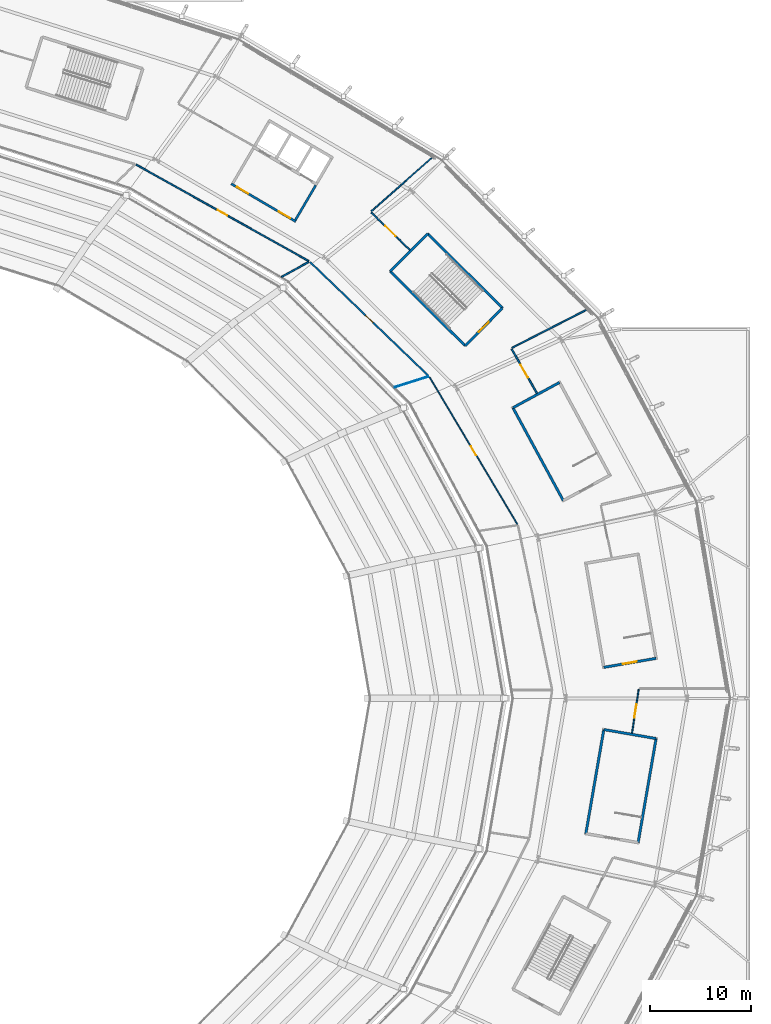
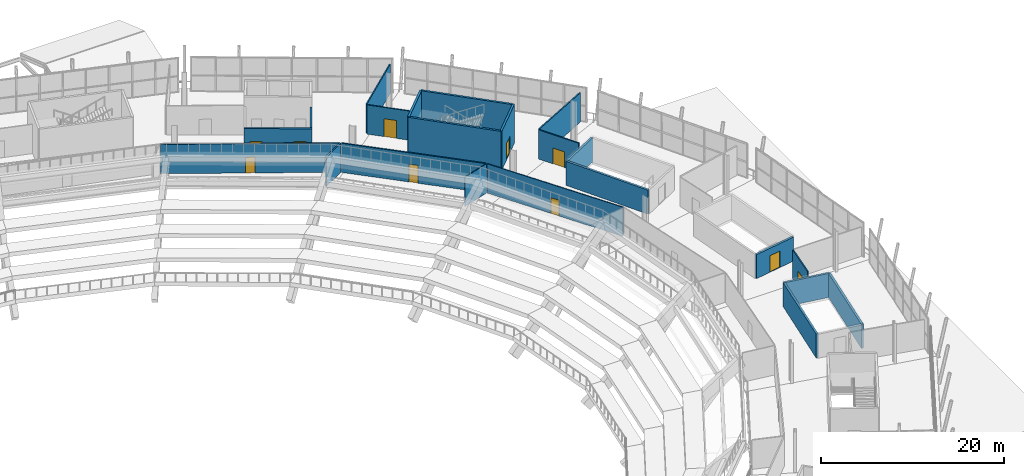
# One storey, part 101 of 126: 22 walls, 10 doors, 10 openings.
"""IFC4 building model written with IfcOpenShell, lengths in metres."""

from ifc_helpers import new_model, si_unit, direction, frame, frame_2d, origin, place, context, subcontext, project, spatial, rectangle, extrude, material, layer, layer_set, type_object, element, fill, save


model = new_model("IFC4")

# Units and contexts
model_context = context("Model", 3, precision=1e-05, world=origin(), true_north=direction((0.0, 1.0)))
body_context = subcontext(model_context, "Body", "Model", "MODEL_VIEW")
ifc_project = project(units=[si_unit("LENGTHUNIT", "METRE"), si_unit("AREAUNIT", "SQUARE_METRE"), si_unit("VOLUMEUNIT", "CUBIC_METRE"), si_unit("PLANEANGLEUNIT", "RADIAN"), si_unit("MASSUNIT", "GRAM", prefix="KILO")], contexts=[model_context])

# Site, building, storey
site_placement = place(None, origin())
site = spatial("IfcSite", under=ifc_project, at=site_placement, CompositionType="ELEMENT")
building_placement = place(site_placement, origin())
building = spatial("IfcBuilding", under=site, at=building_placement, Name="Zlatoyarsky Gate Stadium", CompositionType="ELEMENT")
storey_placement = place(building_placement, frame((0.0, 0.0, 20.800048828125)))
storey = spatial("IfcBuildingStorey", under=building, at=storey_placement, Name="L04", CompositionType="ELEMENT", Elevation=20.800048828125)

# Wall, opening, door
ifc_material_1 = material(Name="Double-stud acoustic gypsum partition", Category="gypsum")
ifc_layer_1 = layer(ifc_material_1, 0.169921875)
ifc_layer_set_1 = layer_set([ifc_layer_1], Name="Double-stud acoustic gypsum partition")
wall_type_1 = type_object("IfcWallType", Name="ACOUSTIC BROADCAST STUDIO WALL 170", PredefinedType="PARTITIONING", material=ifc_layer_set_1)
wall_1_placement = place(storey_placement, frame((178.411376953125, 111.92529296875, 0.0), z_axis=(0.0, 0.0, 1.0), x_axis=(-0.720913125546, 0.693025443556, 0.0)))
wall_1 = element("IfcWall", 1, at=wall_1_placement, inside=storey, type_object=wall_type_1, Name="L04 vomitory portal wall PRT-L04-ICC-02", PredefinedType="PARTITIONING", context=body_context, shape_type="SweptSolid", body=[
    extrude(rectangle(XDim=16.230712890625, YDim=0.169921875, at=frame_2d((8.115234375, 0.0))), origin(), (0.0, 0.0, 1.0), 3.889892578125),
])
opening_1_placement = place(wall_1_placement, frame((7.605224609375, 0.0, 0.0)))
opening_1 = element("IfcOpeningElement", 2, at=opening_1_placement, cuts=wall_1, Name="Opening D-L04-500", PredefinedType="OPENING", context=body_context, shape_type="SweptSolid", body=[
    extrude(rectangle(XDim=1.02001953125, YDim=2.3798828125, at=frame_2d((0.510009765625, 1.18994140625))), frame((0.0, 0.094970703125, 0.0), z_axis=(0.0, -1.0, 0.0), x_axis=(1.0, 0.0, 0.0)), (0.0, 0.0, 1.0), 0.18994140625),
])
ifc_material_2 = material(Name="Powder-coated steel fire door", Category="steel")
door_type_1 = type_object("IfcDoorType", Name="ACOUSTIC INTERIOR DOOR 1020X2380", OperationType="NOTDEFINED", PredefinedType="DOOR", material=ifc_material_2)
door_1_placement = place(opening_1_placement, origin())
door_1 = element("IfcDoor", 3, at=door_1_placement, inside=storey, type_object=door_type_1, Name="L04 vomitory portal door D-L04-500", OperationType="SINGLE_SWING_RIGHT", OverallHeight=2.3798828125, OverallWidth=1.02001953125, PredefinedType="DOOR", context=body_context, shape_type="SweptSolid", body=[
    extrude(rectangle(XDim=1.02001953125, YDim=2.3798828125, at=frame_2d((0.510009765625, 1.18994140625))), frame((0.0, 0.02490234375, 0.0), z_axis=(0.0, -1.0, 0.0), x_axis=(1.0, 0.0, 0.0)), (0.0, 0.0, 1.0), 0.050048828125),
])
fill(opening_1, door_1)

ifc_material_3 = material(Name="Anodised aluminium acoustic operable wall", Category="aluminium")
ifc_layer_2 = layer(ifc_material_3, 0.114990234375)
ifc_layer_set_2 = layer_set([ifc_layer_2], Name="Anodised aluminium acoustic operable wall")
wall_type_2 = type_object("IfcWallType", Name="ACOUSTIC OPERABLE SUITE WALL 115", PredefinedType="MOVABLE", material=ifc_layer_set_2)
wall_2_placement = place(storey_placement, frame((187.22216796875, 97.223388671875, 0.0), z_axis=(0.0, 0.0, 1.0), x_axis=(-0.512925326117, 0.858433229685, 0.0)))
wall_2 = element("IfcWall", 4, at=wall_2_placement, inside=storey, type_object=wall_type_2, Name="L04 interior partition PRT-L04-ICC-01", PredefinedType="MOVABLE", context=body_context, shape_type="SweptSolid", body=[
    extrude(rectangle(XDim=16.972900390625, YDim=0.114990234375, at=frame_2d((8.486328125, 0.0))), origin(), (0.0, 0.0, 1.0), 3.889892578125),
])
opening_2_placement = place(wall_2_placement, frame((7.976318359375, 0.0, 0.0)))
opening_2 = element("IfcOpeningElement", 5, at=opening_2_placement, cuts=wall_2, Name="Opening D-L04-498", PredefinedType="OPENING", context=body_context, shape_type="SweptSolid", body=[
    extrude(rectangle(XDim=1.02001953125, YDim=2.10009765625, at=frame_2d((0.510009765625, 1.050048828125))), frame((0.0, 0.0673828125, 0.0), z_axis=(0.0, -1.0, 0.0), x_axis=(1.0, 0.0, 0.0)), (0.0, 0.0, 1.0), 0.135009765625),
])
ifc_material_4 = material(Name="Solid-core oak veneer acoustic door", Category="wood")
door_type_2 = type_object("IfcDoorType", Name="ACOUSTIC INTERIOR DOOR 1020X2100", OperationType="NOTDEFINED", PredefinedType="DOOR", material=ifc_material_4)
door_2_placement = place(opening_2_placement, origin())
door_2 = element("IfcDoor", 6, at=door_2_placement, inside=storey, type_object=door_type_2, Name="L04 room door D-L04-498", OperationType="SINGLE_SWING_LEFT", OverallHeight=2.10009765625, OverallWidth=1.02001953125, PredefinedType="DOOR", context=body_context, shape_type="SweptSolid", body=[
    extrude(rectangle(XDim=1.02001953125, YDim=2.10009765625, at=frame_2d((0.510009765625, 1.050048828125))), frame((0.0, 0.02490234375, 0.0), z_axis=(0.0, -1.0, 0.0), x_axis=(1.0, 0.0, 0.0)), (0.0, 0.0, 1.0), 0.050048828125),
])
fill(opening_2, door_2)

ifc_material_5 = material(Name="Moisture-resistant masonry partition", Category="masonry")
ifc_layer_3 = layer(ifc_material_5, 0.139892578125)
ifc_layer_set_3 = layer_set([ifc_layer_3], Name="Moisture-resistant masonry partition")
wall_type_3 = type_object("IfcWallType", Name="ATHLETE CHANGING BLOCK PARTITION 140", PredefinedType="PARTITIONING", material=ifc_layer_set_3)
wall_3_placement = place(storey_placement, frame((176.556396484375, 124.38818359375, 0.0), z_axis=(0.0, 0.0, 1.0), x_axis=(-0.717933859763, 0.696111322279, 0.0)))
wall_3 = element("IfcWall", 7, at=wall_3_placement, inside=storey, type_object=wall_type_3, Name="L04 interior partition PRT-L04-OCC-02-1", PredefinedType="PARTITIONING", context=body_context, shape_type="SweptSolid", body=[
    extrude(rectangle(XDim=5.302978515625, YDim=0.139892578125, at=frame_2d((2.6513671875, 0.0))), origin(), (0.0, 0.0, 1.0), 3.889892578125),
])
opening_3_placement = place(wall_3_placement, frame((1.931396484375, 0.0, 0.0)))
opening_3 = element("IfcOpeningElement", 8, at=opening_3_placement, cuts=wall_3, Name="Opening D-L04-563", PredefinedType="OPENING", context=body_context, shape_type="SweptSolid", body=[
    extrude(rectangle(XDim=1.43994140625, YDim=2.3798828125, at=frame_2d((0.719970703125, 1.18994140625))), frame((0.0, 0.079833984375, 0.0), z_axis=(0.0, -1.0, 0.0), x_axis=(1.0, 0.0, 0.0)), (0.0, 0.0, 1.0), 0.159912109375),
])
door_type_3 = type_object("IfcDoorType", Name="ACOUSTIC INTERIOR DOOR 1440X2380", OperationType="NOTDEFINED", PredefinedType="DOOR", material=ifc_material_2)
door_3_placement = place(opening_3_placement, origin())
door_3 = element("IfcDoor", 9, at=door_3_placement, inside=storey, type_object=door_type_3, Name="L04 room door D-L04-563", OperationType="SINGLE_SWING_LEFT", OverallHeight=2.3798828125, OverallWidth=1.43994140625, PredefinedType="DOOR", context=body_context, shape_type="SweptSolid", body=[
    extrude(rectangle(XDim=1.43994140625, YDim=2.3798828125, at=frame_2d((0.719970703125, 1.18994140625))), frame((0.0, 0.02490234375, 0.0), z_axis=(0.0, -1.0, 0.0), x_axis=(1.0, 0.0, 0.0)), (0.0, 0.0, 1.0), 0.050048828125),
])
fill(opening_3, door_3)

ifc_material_6 = material(Name="Metal-stud gypsum partition", Category="gypsum")
ifc_layer_4 = layer(ifc_material_6, 0.14990234375)
ifc_layer_set_4 = layer_set([ifc_layer_4], Name="Metal-stud gypsum partition")
wall_type_4 = type_object("IfcWallType", Name="CONCOURSE CORRIDOR PARTITION 150", PredefinedType="PARTITIONING", material=ifc_layer_set_4)
wall_4_placement = place(storey_placement, frame((166.574951171875, 123.274169921875, 0.0), z_axis=(0.0, 0.0, 1.0), x_axis=(-0.872970987742, 0.48777213385, 0.0)))
wall_4 = element("IfcWall", 10, at=wall_4_placement, inside=storey, type_object=wall_type_4, Name="L04 interior partition PRT-L04-ICC-03", PredefinedType="PARTITIONING", context=body_context, shape_type="SweptSolid", body=[
    extrude(rectangle(XDim=19.56494140625, YDim=0.14990234375, at=frame_2d((9.782470703125, 0.0))), origin(), (0.0, 0.0, 1.0), 3.889892578125),
])
opening_4_placement = place(wall_4_placement, frame((9.242431640625, 0.0, 0.0)))
opening_4 = element("IfcOpeningElement", 11, at=opening_4_placement, cuts=wall_4, Name="Opening D-L04-502", PredefinedType="OPENING", context=body_context, shape_type="SweptSolid", body=[
    extrude(rectangle(XDim=1.080078125, YDim=2.10009765625, at=frame_2d((0.5400390625, 1.050048828125))), frame((0.0, 0.0849609375, 0.0), z_axis=(0.0, -1.0, 0.0), x_axis=(1.0, 0.0, 0.0)), (0.0, 0.0, 1.0), 0.169921875),
])
door_type_4 = type_object("IfcDoorType", Name="ACOUSTIC INTERIOR DOOR 1080X2100", OperationType="NOTDEFINED", PredefinedType="DOOR", material=ifc_material_2)
door_4_placement = place(opening_4_placement, origin())
door_4 = element("IfcDoor", 12, at=door_4_placement, inside=storey, type_object=door_type_4, Name="L04 room door D-L04-502", OperationType="SINGLE_SWING_LEFT", OverallHeight=2.10009765625, OverallWidth=1.080078125, PredefinedType="DOOR", context=body_context, shape_type="SweptSolid", body=[
    extrude(rectangle(XDim=1.080078125, YDim=2.10009765625, at=frame_2d((0.5400390625, 1.050048828125))), frame((0.0, 0.02490234375, 0.0), z_axis=(0.0, -1.0, 0.0), x_axis=(1.0, 0.0, 0.0)), (0.0, 0.0, 1.0), 0.050048828125),
])
fill(opening_4, door_4)

# Wall
wall_5_placement = place(storey_placement, frame((186.6748046875, 114.690185546875, 0.0), z_axis=(0.0, 0.0, 1.0), x_axis=(0.890400117207, 0.455178680606, 0.0)))
element("IfcWall", 13, at=wall_5_placement, inside=storey, type_object=wall_type_4, Name="L04 interior partition PRT-L04-ORD-01R", PredefinedType="PARTITIONING", context=body_context, shape_type="SweptSolid", body=[
    extrude(rectangle(XDim=8.26953125, YDim=0.14990234375, at=frame_2d((4.134765625, 0.0))), origin(), (0.0, 0.0, 1.0), 3.889892578125),
])

# Wall, opening, door
ifc_material_7 = material(Name="Concrete C40/50", Category="concrete")
ifc_layer_5 = layer(ifc_material_7, 0.25)
ifc_layer_set_5 = layer_set([ifc_layer_5], Name="Concrete C40/50")
wall_type_5 = type_object("IfcWallType", Name="CONCRETE STAIR CORE SHEAR WALL 250", PredefinedType="SHEAR", material=ifc_layer_set_5)
wall_6_placement = place(storey_placement, frame((195.762451171875, 83.07666015625, 0.0), z_axis=(0.0, 0.0, 1.0), x_axis=(0.985457162135, 0.16992404655, 0.0)))
wall_6 = element("IfcWall", 14, at=wall_6_placement, inside=storey, type_object=wall_type_5, Name="ST-01 L04 stair core entrance shear wall", PredefinedType="SHEAR", context=body_context, shape_type="SweptSolid", body=[
    extrude(rectangle(XDim=5.25, YDim=0.25, at=frame_2d((2.625, 0.0))), origin(), (0.0, 0.0, 1.0), 3.199951171875),
])
opening_5_placement = place(wall_6_placement, frame((1.925048828125, 0.0, 0.0)))
opening_5 = element("IfcOpeningElement", 15, at=opening_5_placement, cuts=wall_6, Name="Opening SD-ST-01-L04", PredefinedType="OPENING", context=body_context, shape_type="SweptSolid", body=[
    extrude(rectangle(XDim=1.39990234375, YDim=2.199951171875, at=frame_2d((0.699951171875, 1.10009765625))), frame((0.0, 0.135009765625, 0.0), z_axis=(0.0, -1.0, 0.0), x_axis=(1.0, 0.0, 0.0)), (0.0, 0.0, 1.0), 0.27001953125),
])
door_type_5 = type_object("IfcDoorType", Name="STAIR CORE FIRE EXIT DOOR 1400X2200", OperationType="NOTDEFINED", PredefinedType="DOOR", material=ifc_material_2)
door_5_placement = place(opening_5_placement, frame((1.39990234375, 0.0, 0.0), z_axis=(0.0, 0.0, 1.0), x_axis=(-1.0, 0.0, 0.0)))
door_5 = element("IfcDoor", 16, at=door_5_placement, inside=storey, type_object=door_type_5, Name="ST-01 L04 stair fire door", OperationType="SINGLE_SWING_RIGHT", OverallHeight=2.199951171875, OverallWidth=1.39990234375, PredefinedType="DOOR", context=body_context, shape_type="SweptSolid", body=[
    extrude(rectangle(XDim=1.39990234375, YDim=2.199951171875, at=frame_2d((0.699951171875, 1.10009765625))), frame((0.0, 0.02490234375, 0.0), z_axis=(0.0, -1.0, 0.0), x_axis=(1.0, 0.0, 0.0)), (0.0, 0.0, 1.0), 0.050048828125),
])
fill(opening_5, door_5)

wall_7_placement = place(storey_placement, frame((182.038818359375, 114.89794921875, 0.0), z_axis=(0.0, 0.0, 1.0), x_axis=(0.705314141126, 0.708894888067, 0.0)))
wall_7 = element("IfcWall", 17, at=wall_7_placement, inside=storey, type_object=wall_type_5, Name="ST-02 L04 stair core entrance shear wall", PredefinedType="SHEAR", context=body_context, shape_type="SweptSolid", body=[
    extrude(rectangle(XDim=5.25, YDim=0.25, at=frame_2d((2.625, 0.0))), origin(), (0.0, 0.0, 1.0), 5.139892578125),
])
opening_6_placement = place(wall_7_placement, frame((1.925048828125, 0.0, 0.0)))
opening_6 = element("IfcOpeningElement", 18, at=opening_6_placement, cuts=wall_7, Name="Opening SD-ST-02-L04", PredefinedType="OPENING", context=body_context, shape_type="SweptSolid", body=[
    extrude(rectangle(XDim=1.39990234375, YDim=2.199951171875, at=frame_2d((0.699951171875, 1.10009765625))), frame((0.0, 0.135009765625, 0.0), z_axis=(0.0, -1.0, 0.0), x_axis=(1.0, 0.0, 0.0)), (0.0, 0.0, 1.0), 0.27001953125),
])
door_6_placement = place(opening_6_placement, frame((1.39990234375, 0.0, 0.0), z_axis=(0.0, 0.0, 1.0), x_axis=(-1.0, 0.0, 0.0)))
door_6 = element("IfcDoor", 19, at=door_6_placement, inside=storey, type_object=door_type_5, Name="ST-02 L04 stair fire door", OperationType="SINGLE_SWING_RIGHT", OverallHeight=2.199951171875, OverallWidth=1.39990234375, PredefinedType="DOOR", context=body_context, shape_type="SweptSolid", body=[
    extrude(rectangle(XDim=1.39990234375, YDim=2.199951171875, at=frame_2d((0.699951171875, 1.10009765625))), frame((0.0, 0.02490234375, 0.0), z_axis=(0.0, -1.0, 0.0), x_axis=(1.0, 0.0, 0.0)), (0.0, 0.0, 1.0), 0.050048828125),
])
fill(opening_6, door_6)

# Walls
wall_8_placement = place(storey_placement, frame((185.74169921875, 118.61962890625, 0.0), z_axis=(0.0, 0.0, 1.0), x_axis=(-0.708891762409, 0.705317282639, 0.0)))
element("IfcWall", 20, at=wall_8_placement, inside=storey, type_object=wall_type_5, Name="ST-02 L04 stair core left shear wall", PredefinedType="SHEAR", context=body_context, shape_type="SweptSolid", body=[
    extrude(rectangle(XDim=10.449951171875, YDim=0.25, at=frame_2d((5.22509765625, 0.0))), origin(), (0.0, 0.0, 1.0), 5.139892578125),
])
wall_9_placement = place(storey_placement, frame((178.333740234375, 125.990234375, 0.0), z_axis=(0.0, 0.0, 1.0), x_axis=(-0.705314141126, -0.708894888067, 0.0)))
element("IfcWall", 21, at=wall_9_placement, inside=storey, type_object=wall_type_5, Name="ST-02 L04 stair core far shear wall", PredefinedType="SHEAR", context=body_context, shape_type="SweptSolid", body=[
    extrude(rectangle(XDim=5.25, YDim=0.25, at=frame_2d((2.625, 0.0))), origin(), (0.0, 0.0, 1.0), 5.139892578125),
])
wall_10_placement = place(storey_placement, frame((174.630859375, 122.2685546875, 0.0), z_axis=(0.0, 0.0, 1.0), x_axis=(0.708891762409, -0.705317282639, 0.0)))
element("IfcWall", 22, at=wall_10_placement, inside=storey, type_object=wall_type_5, Name="ST-02 L04 stair core right shear wall", PredefinedType="SHEAR", context=body_context, shape_type="SweptSolid", body=[
    extrude(rectangle(XDim=10.449951171875, YDim=0.25, at=frame_2d((5.22509765625, 0.0))), origin(), (0.0, 0.0, 1.0), 5.139892578125),
])
wall_11_placement = place(storey_placement, frame((191.384765625, 111.268798828125, 0.0), z_axis=(0.0, 0.0, 1.0), x_axis=(-0.878961487093, -0.47689275965, 0.0)))
element("IfcWall", 23, at=wall_11_placement, inside=storey, type_object=wall_type_5, Name="ST-13 L04 stair core far shear wall", PredefinedType="SHEAR", context=body_context, shape_type="SweptSolid", body=[
    extrude(rectangle(XDim=5.25, YDim=0.25, at=frame_2d((2.625, 0.0))), origin(), (0.0, 0.0, 1.0), 3.199951171875),
])
for number, where, z_axis, x_axis, name in (
    (24, (186.770263671875, 108.76513671875, 0.0), (0.0, 0.0, 1.0), (0.476876856974, -0.878970115125, 0.0), "ST-13 L04 stair core right shear wall"),
    (25, (199.160400390625, 65.733154296875, 0.0), (0.0, 0.0, 1.0), (0.169938992676, 0.985454584833, 0.0), "ST-20 L04 stair core left shear wall"),
):
    element("IfcWall", number, at=place(storey_placement, frame(where, z_axis=z_axis, x_axis=x_axis)), inside=storey, type_object=wall_type_5, Name=name, PredefinedType="SHEAR", context=body_context, shape_type="SweptSolid", body=[
        extrude(rectangle(XDim=10.4501953125, YDim=0.25, at=frame_2d((5.22509765625, 0.0))), origin(), (0.0, 0.0, 1.0), 3.199951171875),
    ])
wall_12_placement = place(storey_placement, frame((200.936279296875, 76.03125, 0.0), z_axis=(0.0, 0.0, 1.0), x_axis=(-0.985458504796, 0.169916259745, 0.0)))
element("IfcWall", 26, at=wall_12_placement, inside=storey, type_object=wall_type_5, Name="ST-20 L04 stair core far shear wall", PredefinedType="SHEAR", context=body_context, shape_type="SweptSolid", body=[
    extrude(rectangle(XDim=5.250244140625, YDim=0.25, at=frame_2d((2.625, 0.0))), origin(), (0.0, 0.0, 1.0), 3.199951171875),
])
wall_13_placement = place(storey_placement, frame((195.762451171875, 76.92333984375, 0.0), z_axis=(0.0, 0.0, 1.0), x_axis=(-0.16991630471, -0.985458497043, 0.0)))
element("IfcWall", 27, at=wall_13_placement, inside=storey, type_object=wall_type_5, Name="ST-20 L04 stair core right shear wall", PredefinedType="SHEAR", context=body_context, shape_type="SweptSolid", body=[
    extrude(rectangle(XDim=10.449951171875, YDim=0.25, at=frame_2d((5.22509765625, 0.0))), origin(), (0.0, 0.0, 1.0), 3.199951171875),
])
ifc_material_8 = material(Name="Autoclaved aerated concrete masonry EI 120", Category="masonry")
ifc_layer_6 = layer(ifc_material_8, 0.219970703125)
ifc_layer_set_6 = layer_set([ifc_layer_6], Name="Autoclaved aerated concrete masonry EI 120")
wall_type_6 = type_object("IfcWallType", Name="FIREFIGHTING LOBBY RATED WALL 220", PredefinedType="PARTITIONING", material=ifc_layer_set_6)
wall_14_placement = place(storey_placement, frame((167.2578125, 130.766357421875, 0.0), z_axis=(0.0, 0.0, 1.0), x_axis=(-0.505464443681, -0.862847435051, 0.0)))
element("IfcWall", 28, at=wall_14_placement, inside=storey, type_object=wall_type_6, Name="C1 L04 firefighting lobby left wall", PredefinedType="PARTITIONING", context=body_context, shape_type="SweptSolid", body=[
    extrude(rectangle(XDim=3.97998046875, YDim=0.219970703125, at=frame_2d((1.989990234375, 0.0))), origin(), (0.0, 0.0, 1.0), 3.889892578125),
])

# Wall, openings, doors
wall_15_placement = place(storey_placement, frame((165.285400390625, 127.181640625, 0.0), z_axis=(0.0, 0.0, 1.0), x_axis=(-0.862851295616, 0.505457853488, 0.0)))
wall_15 = element("IfcWall", 29, at=wall_15_placement, inside=storey, type_object=wall_type_6, Name="C1 L04 firefighting lobby front wall", PredefinedType="PARTITIONING", context=body_context, shape_type="SweptSolid", body=[
    extrude(rectangle(XDim=7.400146484375, YDim=0.219970703125, at=frame_2d((3.7001953125, 0.0))), origin(), (0.0, 0.0, 1.0), 3.889892578125),
])
opening_7_placement = place(wall_15_placement, frame((0.64990234375, 0.0, 0.0)))
opening_7 = element("IfcOpeningElement", 30, at=opening_7_placement, cuts=wall_15, Name="Opening FD-C1-L04-A", PredefinedType="OPENING", context=body_context, shape_type="SweptSolid", body=[
    extrude(rectangle(XDim=1.300048828125, YDim=2.199951171875, at=frame_2d((0.64990234375, 1.10009765625))), frame((0.0, 0.119873046875, 0.0), z_axis=(0.0, -1.0, 0.0), x_axis=(1.0, 0.0, 0.0)), (0.0, 0.0, 1.0), 0.239990234375),
])
opening_8_placement = place(wall_15_placement, frame((5.449951171875, 0.0, 0.0)))
opening_8 = element("IfcOpeningElement", 31, at=opening_8_placement, cuts=wall_15, Name="Opening FD-C1-L04-B", PredefinedType="OPENING", context=body_context, shape_type="SweptSolid", body=[
    extrude(rectangle(XDim=1.300048828125, YDim=2.199951171875, at=frame_2d((0.64990234375, 1.10009765625))), frame((0.0, 0.119873046875, 0.0), z_axis=(0.0, -1.0, 0.0), x_axis=(1.0, 0.0, 0.0)), (0.0, 0.0, 1.0), 0.239990234375),
])
door_type_6 = type_object("IfcDoorType", Name="FIREFIGHTING LOBBY FIRE DOOR 1300X2200", OperationType="NOTDEFINED", PredefinedType="DOOR", material=ifc_material_2)
door_7_placement = place(opening_7_placement, origin())
door_7 = element("IfcDoor", 32, at=door_7_placement, inside=storey, type_object=door_type_6, Name="C1 L04 firefighting lobby fire door FD-C1-L04-A", OperationType="SINGLE_SWING_LEFT", OverallHeight=2.199951171875, OverallWidth=1.300048828125, PredefinedType="DOOR", context=body_context, shape_type="SweptSolid", body=[
    extrude(rectangle(XDim=1.300048828125, YDim=2.199951171875, at=frame_2d((0.64990234375, 1.10009765625))), frame((0.0, 0.02490234375, 0.0), z_axis=(0.0, -1.0, 0.0), x_axis=(1.0, 0.0, 0.0)), (0.0, 0.0, 1.0), 0.050048828125),
])
fill(opening_7, door_7)
door_8_placement = place(opening_8_placement, origin())
door_8 = element("IfcDoor", 33, at=door_8_placement, inside=storey, type_object=door_type_6, Name="C1 L04 firefighting lobby fire door FD-C1-L04-B", OperationType="SINGLE_SWING_RIGHT", OverallHeight=2.199951171875, OverallWidth=1.300048828125, PredefinedType="DOOR", context=body_context, shape_type="SweptSolid", body=[
    extrude(rectangle(XDim=1.300048828125, YDim=2.199951171875, at=frame_2d((0.64990234375, 1.10009765625))), frame((0.0, 0.02490234375, 0.0), z_axis=(0.0, -1.0, 0.0), x_axis=(1.0, 0.0, 0.0)), (0.0, 0.0, 1.0), 0.050048828125),
])
fill(opening_8, door_8)

# Walls
ifc_material_9 = material(Name="Timber-veneered acoustic operable partition", Category="wood")
ifc_layer_7 = layer(ifc_material_9, 0.094970703125)
ifc_layer_set_7 = layer_set([ifc_layer_7], Name="Timber-veneered acoustic operable partition")
wall_type_7 = type_object("IfcWallType", Name="FOLDING BANQUET SALON WALL 95", PredefinedType="MOVABLE", material=ifc_layer_set_7)
wall_16_placement = place(storey_placement, frame((175.083984375, 110.7939453125, 0.0), z_axis=(0.0, 0.0, 1.0), x_axis=(0.953386772037, 0.30175099487, 0.0)))
element("IfcWall", 34, at=wall_16_placement, inside=storey, type_object=wall_type_7, Name="L04 interior partition PRT-L04-IRD-02", PredefinedType="MOVABLE", context=body_context, shape_type="SweptSolid", body=[
    extrude(rectangle(XDim=3.46923828125, YDim=0.094970703125, at=frame_2d((1.734619140625, 0.0))), origin(), (0.0, 0.0, 1.0), 3.889892578125),
])
ifc_material_10 = material(Name="Acoustic metal-stud gypsum partition", Category="gypsum")
ifc_layer_8 = layer(ifc_material_10, 0.159912109375)
ifc_layer_set_8 = layer_set([ifc_layer_8], Name="Acoustic metal-stud gypsum partition")
wall_type_8 = type_object("IfcWallType", Name="HOSPITALITY SUITE PARTITION 160", PredefinedType="PARTITIONING", material=ifc_layer_set_8)
wall_17_placement = place(storey_placement, frame((163.8837890625, 121.70849609375, 0.0), z_axis=(0.0, 0.0, 1.0), x_axis=(0.875782731979, 0.482705506875, 0.0)))
element("IfcWall", 35, at=wall_17_placement, inside=storey, type_object=wall_type_8, Name="L04 interior partition PRT-L04-IRD-03", PredefinedType="PARTITIONING", context=body_context, shape_type="SweptSolid", body=[
    extrude(rectangle(XDim=3.072509765625, YDim=0.159912109375, at=frame_2d((1.5361328125, 0.0))), origin(), (0.0, 0.0, 1.0), 3.889892578125),
])

# Wall, opening, door
wall_18_placement = place(storey_placement, frame((189.1435546875, 110.20068359375, 0.0), z_axis=(0.0, 0.0, 1.0), x_axis=(-0.496337087784, 0.868129883883, 0.0)))
wall_18 = element("IfcWall", 36, at=wall_18_placement, inside=storey, type_object=wall_type_8, Name="L04 interior partition PRT-L04-OCC-01-1", PredefinedType="PARTITIONING", context=body_context, shape_type="SweptSolid", body=[
    extrude(rectangle(XDim=5.041748046875, YDim=0.159912109375, at=frame_2d((2.52099609375, 0.0))), origin(), (0.0, 0.0, 1.0), 3.889892578125),
])
opening_9_placement = place(wall_18_placement, frame((1.801025390625, 0.0, 0.0)))
opening_9 = element("IfcOpeningElement", 37, at=opening_9_placement, cuts=wall_18, Name="Opening D-L04-561", PredefinedType="OPENING", context=body_context, shape_type="SweptSolid", body=[
    extrude(rectangle(XDim=1.43994140625, YDim=2.10009765625, at=frame_2d((0.719970703125, 1.050048828125))), frame((0.0, 0.08984375, 0.0), z_axis=(0.0, -1.0, 0.0), x_axis=(1.0, 0.0, 0.0)), (0.0, 0.0, 1.0), 0.179931640625),
])
door_type_7 = type_object("IfcDoorType", Name="ACOUSTIC INTERIOR DOOR 1440X2100", OperationType="NOTDEFINED", PredefinedType="DOOR", material=ifc_material_2)
door_9_placement = place(opening_9_placement, origin())
door_9 = element("IfcDoor", 38, at=door_9_placement, inside=storey, type_object=door_type_7, Name="L04 room door D-L04-561", OperationType="SINGLE_SWING_RIGHT", OverallHeight=2.10009765625, OverallWidth=1.43994140625, PredefinedType="DOOR", context=body_context, shape_type="SweptSolid", body=[
    extrude(rectangle(XDim=1.43994140625, YDim=2.10009765625, at=frame_2d((0.719970703125, 1.050048828125))), frame((0.0, 0.02490234375, 0.0), z_axis=(0.0, -1.0, 0.0), x_axis=(1.0, 0.0, 0.0)), (0.0, 0.0, 1.0), 0.050048828125),
])
fill(opening_9, door_9)

# Wall
ifc_material_11 = material(Name="Moisture-resistant tile-backed partition", Category="gypsum")
ifc_layer_9 = layer(ifc_material_11, 0.1298828125)
ifc_layer_set_9 = layer_set([ifc_layer_9], Name="Moisture-resistant tile-backed partition")
wall_type_9 = type_object("IfcWallType", Name="SANITARY WET ROOM PARTITION 130", PredefinedType="PARTITIONING", material=ifc_layer_set_9)
wall_19_placement = place(storey_placement, frame((172.751953125, 128.195068359375, 0.0), z_axis=(0.0, 0.0, 1.0), x_axis=(0.748823395348, 0.662769584833, 0.0)))
element("IfcWall", 39, at=wall_19_placement, inside=storey, type_object=wall_type_9, Name="L04 interior partition PRT-L04-ORD-02R", PredefinedType="PARTITIONING", context=body_context, shape_type="SweptSolid", body=[
    extrude(rectangle(XDim=8.0205078125, YDim=0.1298828125, at=frame_2d((4.01025390625, 0.0))), origin(), (0.0, 0.0, 1.0), 3.889892578125),
])

# Wall, opening, door
wall_20_placement = place(storey_placement, frame((198.557861328125, 76.5732421875, 0.0), z_axis=(0.0, 0.0, 1.0), x_axis=(0.150565219496, 0.988600078231, 0.0)))
wall_20 = element("IfcWall", 40, at=wall_20_placement, inside=storey, type_object=wall_type_9, Name="L04 interior partition PRT-L04-OCC-23-1", PredefinedType="PARTITIONING", context=body_context, shape_type="SweptSolid", body=[
    extrude(rectangle(XDim=4.3779296875, YDim=0.1298828125, at=frame_2d((2.18896484375, 0.0))), origin(), (0.0, 0.0, 1.0), 3.889892578125),
])
opening_10_placement = place(wall_20_placement, frame((1.51904296875, 0.0, 0.0)))
opening_10 = element("IfcOpeningElement", 41, at=opening_10_placement, cuts=wall_20, Name="Opening D-L04-604", PredefinedType="OPENING", context=body_context, shape_type="SweptSolid", body=[
    extrude(rectangle(XDim=1.340087890625, YDim=2.10009765625, at=frame_2d((0.669921875, 1.050048828125))), frame((0.0, 0.074951171875, 0.0), z_axis=(0.0, -1.0, 0.0), x_axis=(1.0, 0.0, 0.0)), (0.0, 0.0, 1.0), 0.14990234375),
])
door_type_8 = type_object("IfcDoorType", Name="ACOUSTIC INTERIOR DOOR 1340X2100", OperationType="NOTDEFINED", PredefinedType="DOOR", material=ifc_material_4)
door_10_placement = place(opening_10_placement, origin())
door_10 = element("IfcDoor", 42, at=door_10_placement, inside=storey, type_object=door_type_8, Name="L04 room door D-L04-604", OperationType="SINGLE_SWING_LEFT", OverallHeight=2.10009765625, OverallWidth=1.340087890625, PredefinedType="DOOR", context=body_context, shape_type="SweptSolid", body=[
    extrude(rectangle(XDim=1.340087890625, YDim=2.10009765625, at=frame_2d((0.669921875, 1.050048828125))), frame((0.0, 0.02490234375, 0.0), z_axis=(0.0, -1.0, 0.0), x_axis=(1.0, 0.0, 0.0)), (0.0, 0.0, 1.0), 0.050048828125),
])
fill(opening_10, door_10)

save(model, "model.ifc")
